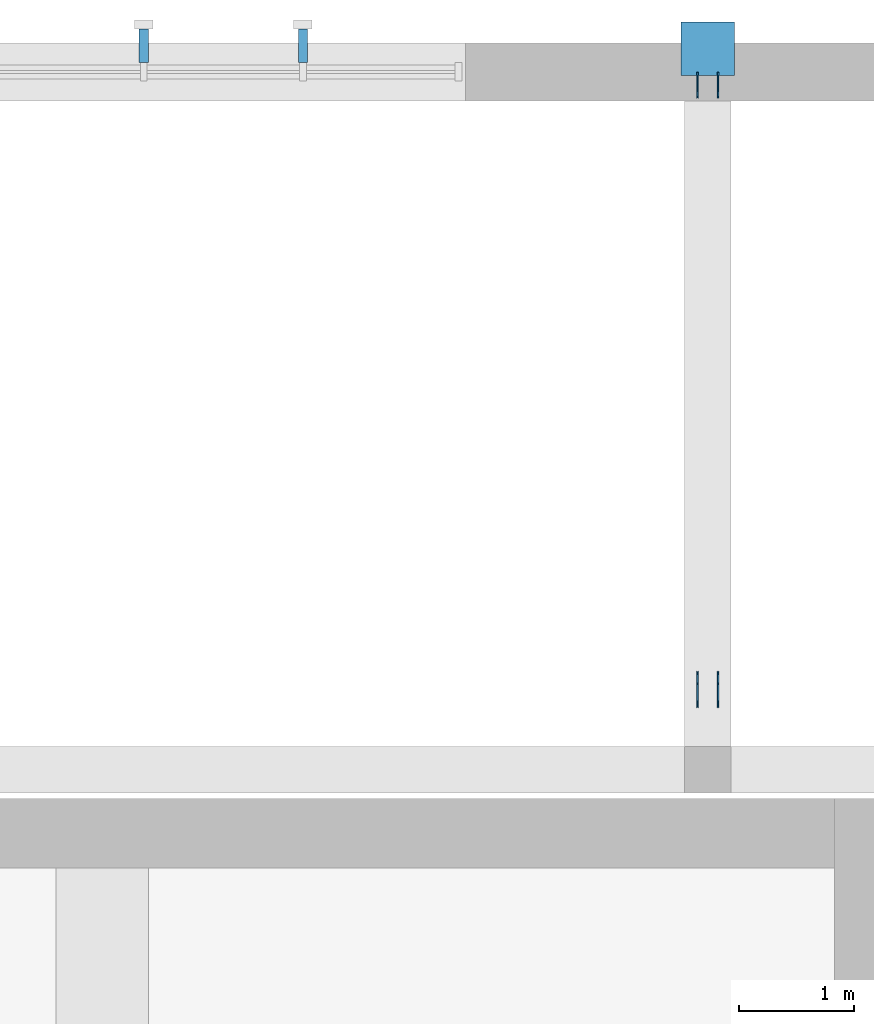
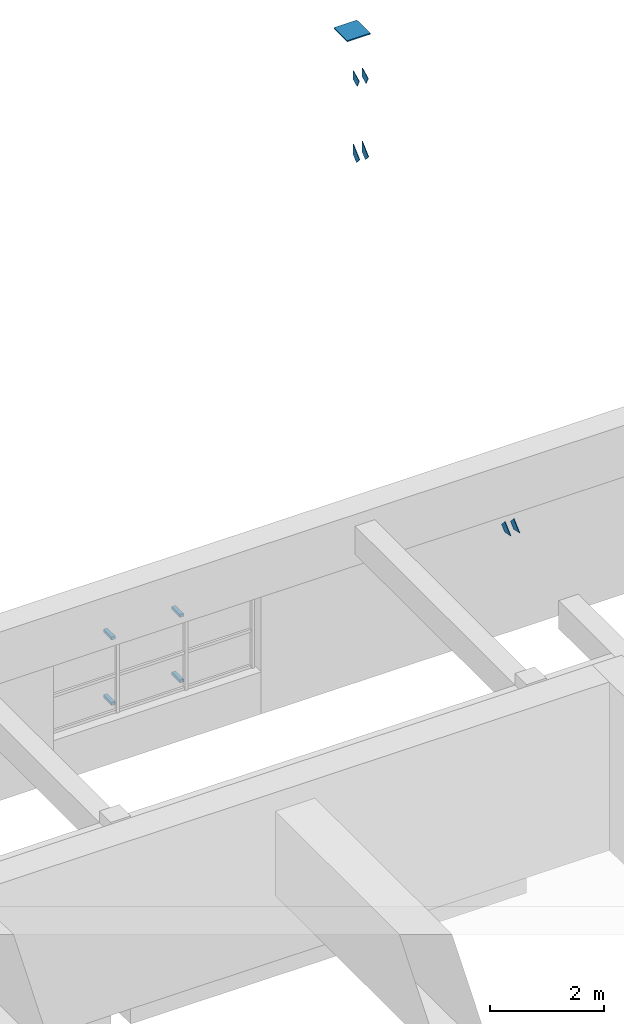
# One storey, part 24 of 28: 11 discrete accessories.
"""IFC4 building model written with IfcOpenShell, lengths in metres."""

from ifc_helpers import new_model, si_unit, direction, frame, origin, origin_2d, place, context, subcontext, project, spatial, polyline, rectangle, outline, extrude, material, layer, layer_set, type_object, element, save


model = new_model("IFC4")

# Units and contexts
model_context = context("Model", 3, precision=1e-05, world=origin(), true_north=direction((0.0, 1.0)))
body_context = subcontext(model_context, "Body", "Model", "MODEL_VIEW")
ifc_project = project(units=[si_unit("LENGTHUNIT", "METRE"), si_unit("AREAUNIT", "SQUARE_METRE"), si_unit("VOLUMEUNIT", "CUBIC_METRE"), si_unit("PLANEANGLEUNIT", "RADIAN"), si_unit("MASSUNIT", "GRAM", prefix="KILO")], contexts=[model_context])

# Site, building, storey
site_placement = place(None, origin())
site = spatial("IfcSite", under=ifc_project, at=site_placement, CompositionType="ELEMENT")
building_placement = place(site_placement, origin())
building = spatial("IfcBuilding", under=site, at=building_placement, Name="Ljudholm Concert House", CompositionType="ELEMENT")
storey_placement = place(building_placement, frame((0.0, 0.0, 19.199951171875)))
storey = spatial("IfcBuildingStorey", under=building, at=storey_placement, Name="L04", CompositionType="ELEMENT", Elevation=19.199951171875)

# Discrete accessories
ifc_material_1 = material(Name="Stainless steel bracket", Category="steel")
discrete_accessory_type_1 = type_object("IfcDiscreteAccessoryType", Name="BRACKET 290", PredefinedType="BRACKET", material=ifc_material_1)
for number, where, z_axis, x_axis, name in (
    (1, (83.110107421875, 96.625, 0.969970703125), (0.0, 0.0, 1.0), (0.0, 1.0, 0.0), "Fin bracket"),
    (2, (83.110107421875, 96.625, 2.3701171875), (0.0, 0.0, 1.0), (0.0, 1.0, 0.0), "Fin bracket"),
    (3, (84.489990234375, 96.625, 0.969970703125), (0.0, 0.0, 1.0), (0.0, 1.0, 0.0), "Fin bracket"),
    (4, (84.489990234375, 96.625, 2.3701171875), (0.0, 0.0, 1.0), (0.0, 1.0, 0.0), "Fin bracket"),
):
    element("IfcDiscreteAccessory", number, at=place(storey_placement, frame(where, z_axis=z_axis, x_axis=x_axis)), inside=storey, type_object=discrete_accessory_type_1, Name=name, PredefinedType="BRACKET", context=body_context, shape_type="SweptSolid", body=[
        extrude(rectangle(XDim=0.2900390625, YDim=0.080078125, at=origin_2d()), origin(), (0.0, 0.0, 1.0), 0.06005859375),
    ])
ifc_material_2 = material(Name="Steel ASTM A36 plate", Category="steel")
ifc_layer_1 = layer(ifc_material_2, 0.011962890625)
ifc_layer_set_1 = layer_set([ifc_layer_1], Name="Steel ASTM A36 plate")
discrete_accessory_type_2 = type_object("IfcDiscreteAccessoryType", Name="GUSSET PLATE 12", PredefinedType="BRACKET", material=ifc_layer_set_1)
for number, where, z_axis, x_axis, name in (
    (5, (88.090087890625, 96.340087890625, -19.199951171875), (0.0, 0.0, 1.0), (0.0, -1.0, 0.0), "Gusset plate"),
    (6, (87.909912109375, 96.340087890625, -19.199951171875), (0.0, 0.0, 1.0), (0.0, -1.0, 0.0), "Gusset plate"),
):
    element("IfcDiscreteAccessory", number, at=place(storey_placement, frame(where, z_axis=z_axis, x_axis=x_axis)), inside=storey, type_object=discrete_accessory_type_2, Name=name, PredefinedType="BRACKET", context=body_context, shape_type="SweptSolid", body=[
        extrude(outline(polyline([(0.053955078125, 30.19921875), (-0.056884765625, 30.30029296875), (-0.056884765625, 30.5283203125), (0.16748046875, 30.323486328125), (0.053955078125, 30.19921875)])), frame((0.0, 0.005859375, 0.0), z_axis=(0.0, -1.0, 0.0), x_axis=(1.0, 0.0, 0.0)), (0.0, 0.0, 1.0), 0.011962890625),
    ])
for number, where, z_axis, x_axis, name in (
    (7, (88.090087890625, 96.340087890625, -19.199951171875), (0.0, 0.0, 1.0), (0.0, -1.0, 0.0), "Gusset plate"),
    (8, (87.909912109375, 96.340087890625, -19.199951171875), (0.0, 0.0, 1.0), (0.0, -1.0, 0.0), "Gusset plate"),
):
    element("IfcDiscreteAccessory", number, at=place(storey_placement, frame(where, z_axis=z_axis, x_axis=x_axis)), inside=storey, type_object=discrete_accessory_type_2, Name=name, PredefinedType="BRACKET", context=body_context, shape_type="SweptSolid", body=[
        extrude(outline(polyline([(5.250732421875, 25.67919921875), (5.451904296875, 25.495361328125), (5.247802734375, 25.453857421875), (5.13720703125, 25.554931640625), (5.250732421875, 25.67919921875)])), frame((0.0, 0.005859375, 0.0), z_axis=(0.0, -1.0, 0.0), x_axis=(1.0, 0.0, 0.0)), (0.0, 0.0, 1.0), 0.011962890625),
    ])
for number, where, z_axis, x_axis, name in (
    (9, (88.090087890625, 96.359375, -19.199951171875), (0.0, 0.0, 1.0), (0.0, -1.0, 0.0), "Gusset plate"),
    (10, (87.909912109375, 96.359375, -19.199951171875), (0.0, 0.0, 1.0), (0.0, -1.0, 0.0), "Gusset plate"),
):
    element("IfcDiscreteAccessory", number, at=place(storey_placement, frame(where, z_axis=z_axis, x_axis=x_axis)), inside=storey, type_object=discrete_accessory_type_2, Name=name, PredefinedType="BRACKET", context=body_context, shape_type="SweptSolid", body=[
        extrude(outline(polyline([(0.096923828125, 31.8388671875), (-0.037353515625, 31.905517578125), (-0.037353515625, 32.09326171875), (0.171875, 31.989501953125), (0.096923828125, 31.8388671875)])), frame((0.0, 0.005859375, 0.0), z_axis=(0.0, -1.0, 0.0), x_axis=(1.0, 0.0, 0.0)), (0.0, 0.0, 1.0), 0.011962890625),
    ])
ifc_material_3 = material(Name="Steel ASTM A36 plate", Category="steel")
ifc_layer_2 = layer(ifc_material_3, 0.02490234375)
ifc_layer_set_2 = layer_set([ifc_layer_2], Name="Steel ASTM A36 plate")
discrete_accessory_type_3 = type_object("IfcDiscreteAccessoryType", Name="MAST CAP PLATE 25", PredefinedType="BRACKET", material=ifc_layer_set_2)
discrete_accessory_placement = place(storey_placement, frame((88.0, 96.60009765625, 13.5751953125), z_axis=(0.0, 0.0, 1.0), x_axis=(1.0, 0.0, 0.0)))
element("IfcDiscreteAccessory", 11, at=discrete_accessory_placement, inside=storey, type_object=discrete_accessory_type_3, Name="Mast cap plate", PredefinedType="BRACKET", context=body_context, shape_type="SweptSolid", body=[
    extrude(rectangle(XDim=0.46630859375, YDim=0.46630859375, at=origin_2d()), origin(), (0.0, 0.0, 1.0), 0.02490234375),
])

save(model, "model.ifc")
